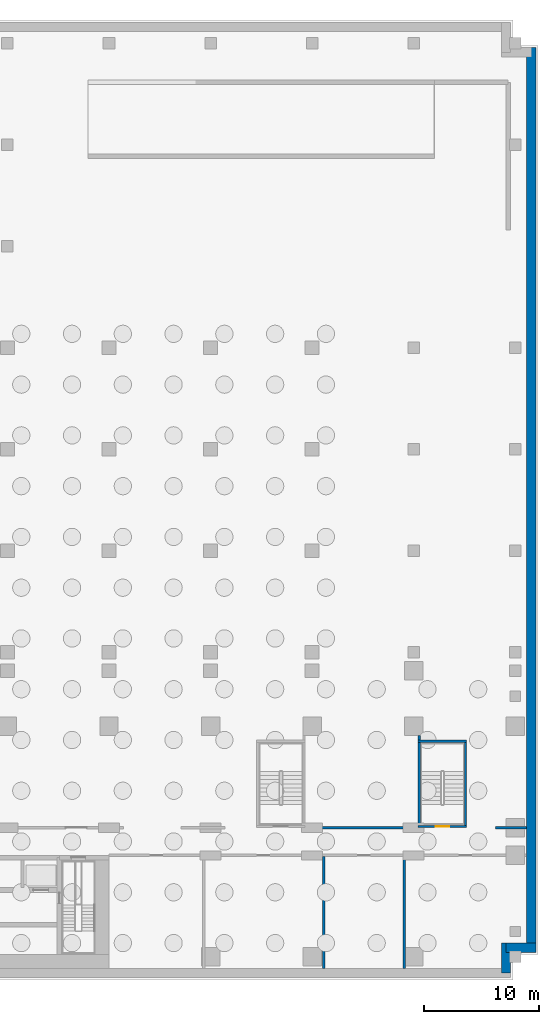
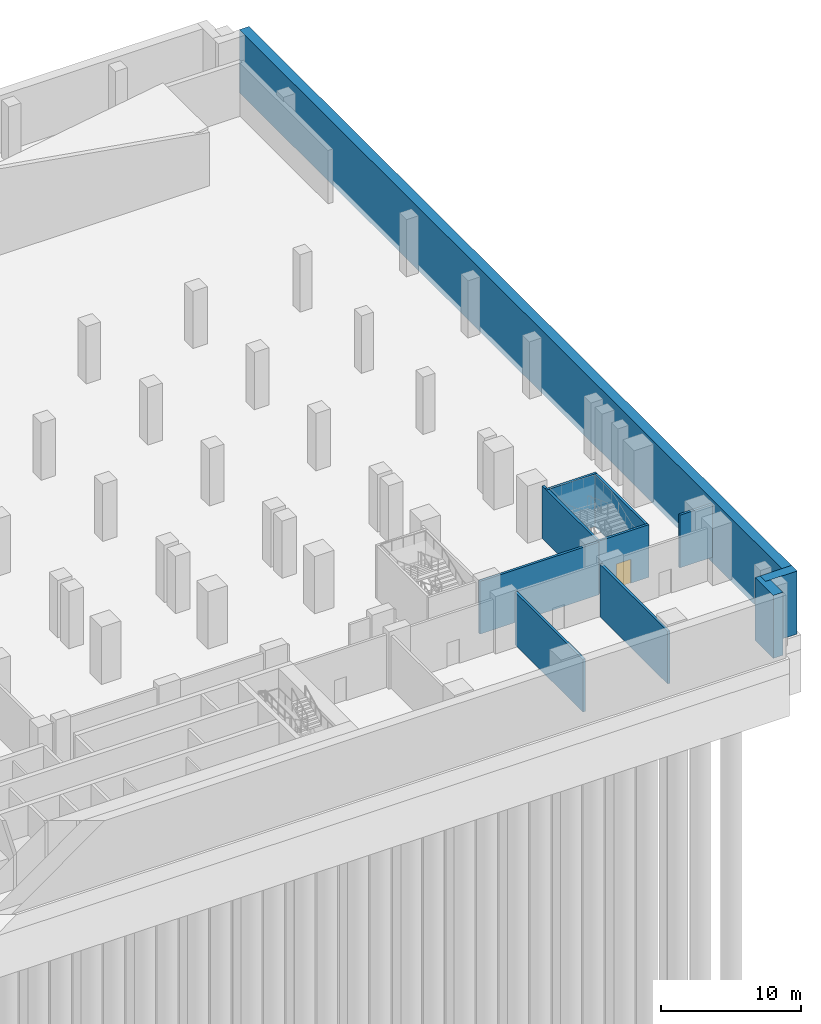
# One storey, part 7 of 14: 11 walls, 1 door, 1 opening.
"""IFC4 building model written with IfcOpenShell, lengths in metres."""

from ifc_helpers import new_model, si_unit, direction, frame, frame_2d, origin, place, context, subcontext, project, spatial, rectangle, extrude, material, layer, layer_set, type_object, element, fill, save


model = new_model("IFC4")

# Units and contexts
model_context = context("Model", 3, precision=1e-05, world=origin(), true_north=direction((0.0, 1.0)))
body_context = subcontext(model_context, "Body", "Model", "MODEL_VIEW")
ifc_project = project(units=[si_unit("LENGTHUNIT", "METRE"), si_unit("AREAUNIT", "SQUARE_METRE"), si_unit("VOLUMEUNIT", "CUBIC_METRE"), si_unit("PLANEANGLEUNIT", "RADIAN"), si_unit("MASSUNIT", "GRAM", prefix="KILO")], contexts=[model_context])

# Site, building, storey
site_placement = place(None, origin())
site = spatial("IfcSite", under=ifc_project, at=site_placement, CompositionType="ELEMENT")
building_placement = place(site_placement, origin())
building = spatial("IfcBuilding", under=site, at=building_placement, Name="Kemantara Hotel Tower", CompositionType="ELEMENT")
storey_placement = place(building_placement, frame((0.0, 0.0, -17.0)))
storey = spatial("IfcBuildingStorey", under=building, at=storey_placement, Name="B3", CompositionType="ELEMENT", Elevation=-17.0)

# Walls
ifc_material_1 = material(Name="Concrete fc 40 MPa", Category="concrete")
ifc_layer_1 = layer(ifc_material_1, 0.800048828125)
ifc_layer_set_1 = layer_set([ifc_layer_1], Name="Concrete fc 40 MPa")
wall_type_1 = type_object("IfcWallType", Name="BASEMENT PERIMETER WALL 800 FC40", PredefinedType="SHEAR", material=ifc_layer_set_1)
wall_1_placement = place(storey_placement, frame((81.60009765625, 79.800048828125, -0.5), z_axis=(0.0, 0.0, 1.0), x_axis=(0.0, -1.0, 0.0)))
element("IfcWall", 1, at=wall_1_placement, inside=storey, type_object=wall_type_1, Name="BASEMENT PERIMETER WALL B3 1", PredefinedType="SHEAR", context=body_context, shape_type="SweptSolid", body=[
    extrude(rectangle(XDim=78.0, YDim=0.800048828125, at=frame_2d((39.0, 0.0))), origin(), (0.0, 0.0, 1.0), 5.5),
])
wall_2_placement = place(storey_placement, frame((82.0, 1.800048828125, -0.5), z_axis=(0.0, 0.0, 1.0), x_axis=(-1.0, 0.0, 0.0)))
element("IfcWall", 2, at=wall_2_placement, inside=storey, type_object=wall_type_1, Name="BASEMENT PERIMETER WALL B3 2", PredefinedType="SHEAR", context=body_context, shape_type="SweptSolid", body=[
    extrude(rectangle(XDim=2.60009765625, YDim=0.800048828125, at=frame_2d((1.300048828125, 0.0))), origin(), (0.0, 0.0, 1.0), 5.5),
])
wall_3_placement = place(storey_placement, frame((79.39990234375, 2.199951171875, -0.5), z_axis=(0.0, 0.0, 1.0), x_axis=(0.0, -1.0, 0.0)))
element("IfcWall", 3, at=wall_3_placement, inside=storey, type_object=wall_type_1, Name="BASEMENT PERIMETER WALL B3 3", PredefinedType="SHEAR", context=body_context, shape_type="SweptSolid", body=[
    extrude(rectangle(XDim=2.599853515625, YDim=0.800048828125, at=frame_2d((1.2998046875, 0.0))), origin(), (0.0, 0.0, 1.0), 5.5),
])

# Wall, opening, door
ifc_layer_2 = layer(ifc_material_1, 0.199951171875)
ifc_layer_set_2 = layer_set([ifc_layer_2], Name="Concrete fc 40 MPa")
wall_type_2 = type_object("IfcWallType", Name="Concrete stair wall 200 mm", PredefinedType="SHEAR", material=ifc_layer_set_2)
wall_4_placement = place(storey_placement, frame((71.800048828125, 12.300048828125, 0.0), z_axis=(0.0, 0.0, 1.0), x_axis=(1.0, 0.0, 0.0)))
wall_4 = element("IfcWall", 4, at=wall_4_placement, inside=storey, type_object=wall_type_2, Name="Stair ST5 enclosure wall with door", PredefinedType="SHEAR", context=body_context, shape_type="SweptSolid", body=[
    extrude(rectangle(XDim=4.199951171875, YDim=0.199951171875, at=frame_2d((2.10009765625, 0.0))), origin(), (0.0, 0.0, 1.0), 4.60009765625),
])
opening_placement = place(wall_4_placement, frame((1.5, 0.0, 0.0)))
opening = element("IfcOpeningElement", 5, at=opening_placement, cuts=wall_4, Name="Opening ST5-C", PredefinedType="OPENING", context=body_context, shape_type="SweptSolid", body=[
    extrude(rectangle(XDim=1.199951171875, YDim=2.10009765625, at=frame_2d((0.60009765625, 1.050048828125))), frame((0.0, 0.10986328125, 0.0), z_axis=(0.0, -1.0, 0.0), x_axis=(1.0, 0.0, 0.0)), (0.0, 0.0, 1.0), 0.219970703125),
])
ifc_material_2 = material(Name="Steel fire door", Category="steel")
door_type = type_object("IfcDoorType", Name="Fire door FD90 1200 x 2100", OperationType="NOTDEFINED", PredefinedType="DOOR", material=ifc_material_2)
door_placement = place(opening_placement, origin())
door = element("IfcDoor", 6, at=door_placement, inside=storey, type_object=door_type, Name="Stair ST5 door", OperationType="SINGLE_SWING_RIGHT", OverallHeight=2.10009765625, OverallWidth=1.199951171875, PredefinedType="DOOR", context=body_context, shape_type="SweptSolid", body=[
    extrude(rectangle(XDim=1.199951171875, YDim=2.10009765625, at=frame_2d((0.60009765625, 1.050048828125))), frame((0.0, 0.02490234375, 0.0), z_axis=(0.0, -1.0, 0.0), x_axis=(1.0, 0.0, 0.0)), (0.0, 0.0, 1.0), 0.050048828125),
])
fill(opening, door)

# Walls
wall_5_placement = place(storey_placement, frame((71.800048828125, 19.699951171875, 0.0), z_axis=(0.0, 0.0, 1.0), x_axis=(1.0, 0.0, 0.0)))
element("IfcWall", 7, at=wall_5_placement, inside=storey, type_object=wall_type_2, Name="Stair ST5 enclosure wall N", PredefinedType="SHEAR", context=body_context, shape_type="SweptSolid", body=[
    extrude(rectangle(XDim=4.199951171875, YDim=0.199951171875, at=frame_2d((2.10009765625, 0.0))), origin(), (0.0, 0.0, 1.0), 4.60009765625),
])
wall_6_placement = place(storey_placement, frame((71.89990234375, 12.39990234375, 0.0), z_axis=(0.0, 0.0, 1.0), x_axis=(0.0, 1.0, 0.0)))
element("IfcWall", 8, at=wall_6_placement, inside=storey, type_object=wall_type_2, Name="Stair ST5 enclosure wall W", PredefinedType="SHEAR", context=body_context, shape_type="SweptSolid", body=[
    extrude(rectangle(XDim=7.800048828125, YDim=0.199951171875, at=frame_2d((3.89990234375, 0.0))), origin(), (0.0, 0.0, 1.0), 4.60009765625),
])
wall_7_placement = place(storey_placement, frame((75.89990234375, 12.39990234375, 0.0), z_axis=(0.0, 0.0, 1.0), x_axis=(0.0, 1.0, 0.0)))
element("IfcWall", 9, at=wall_7_placement, inside=storey, type_object=wall_type_2, Name="Stair ST5 enclosure wall E", PredefinedType="SHEAR", context=body_context, shape_type="SweptSolid", body=[
    extrude(rectangle(XDim=7.2001953125, YDim=0.199951171875, at=frame_2d((3.60009765625, 0.0))), origin(), (0.0, 0.0, 1.0), 4.60009765625),
])
ifc_material_3 = material(Name="Clay brick masonry", Category="masonry")
ifc_layer_3 = layer(ifc_material_3, 0.199951171875)
ifc_layer_set_3 = layer_set([ifc_layer_3], Name="Clay brick masonry")
wall_type_3 = type_object("IfcWallType", Name="FIRE-RATED CLAY BRICK WALL 200 EI 120", PredefinedType="PARTITIONING", material=ifc_layer_set_3)
for number, where, z_axis, x_axis, name in (
    (10, (63.60009765625, 0.0, 0.0), (0.0, 0.0, 1.0), (0.0, 1.0, 0.0), "FIRE WALL"),
    (11, (70.60009765625, 0.0, 0.0), (0.0, 0.0, 1.0), (0.0, 1.0, 0.0), "FIRE WALL"),
):
    element("IfcWall", number, at=place(storey_placement, frame(where, z_axis=z_axis, x_axis=x_axis)), inside=storey, type_object=wall_type_3, Name=name, PredefinedType="PARTITIONING", context=body_context, shape_type="SweptSolid", body=[
        extrude(rectangle(XDim=9.699951171875, YDim=0.199951171875, at=frame_2d((4.85009765625, 0.0))), origin(), (0.0, 0.0, 1.0), 4.60009765625),
    ])
ifc_material_4 = material(Name="Fire-rated gypsum board partition")
ifc_layer_4 = layer(ifc_material_4, 0.199951171875)
ifc_layer_set_4 = layer_set([ifc_layer_4], Name="Fire-rated gypsum board partition")
wall_type_4 = type_object("IfcWallType", Name="FIRE-RATED GYPSUM PARTITION 200 EI 60", PredefinedType="PARTITIONING", material=ifc_layer_set_4)
wall_8_placement = place(storey_placement, frame((62.0, 12.199951171875, 0.0), z_axis=(0.0, 0.0, 1.0), x_axis=(1.0, 0.0, 0.0)))
element("IfcWall", 12, at=wall_8_placement, inside=storey, type_object=wall_type_4, Name="FIRE-RATED PARTITION", PredefinedType="PARTITIONING", context=body_context, shape_type="SweptSolid", body=[
    extrude(rectangle(XDim=9.800048828125, YDim=0.199951171875, at=frame_2d((4.89990234375, 0.0))), origin(), (0.0, 0.0, 1.0), 4.60009765625),
])
wall_9_placement = place(storey_placement, frame((78.5, 12.199951171875, 0.0), z_axis=(0.0, 0.0, 1.0), x_axis=(1.0, 0.0, 0.0)))
element("IfcWall", 13, at=wall_9_placement, inside=storey, type_object=wall_type_4, Name="FIRE-RATED PARTITION", PredefinedType="PARTITIONING", context=body_context, shape_type="SweptSolid", body=[
    extrude(rectangle(XDim=2.699951171875, YDim=0.199951171875, at=frame_2d((1.35009765625, 0.0))), origin(), (0.0, 0.0, 1.0), 4.60009765625),
])

save(model, "model.ifc")
